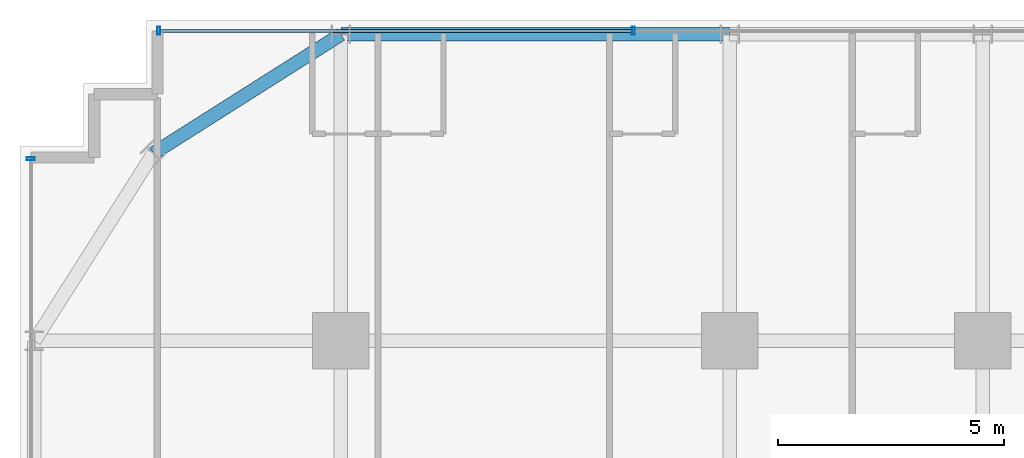
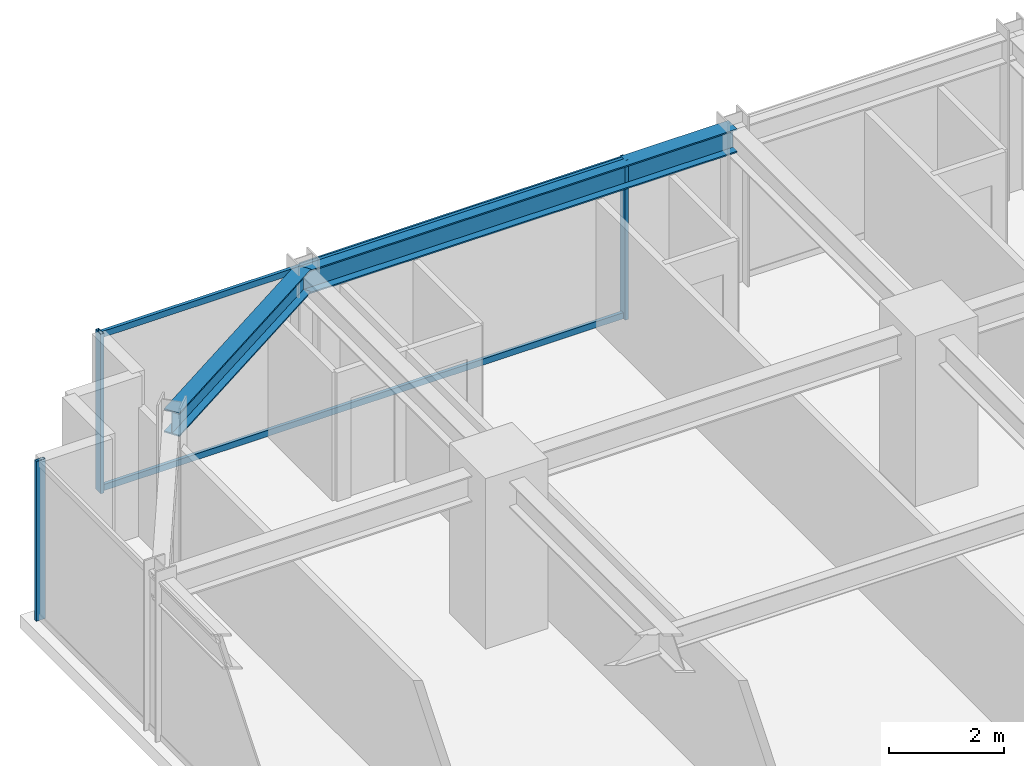
# One storey, part 18 of 32: 5 members, 2 beams, 2 elements without a shape of their own.
"""IFC4 building model written with IfcOpenShell, lengths in metres."""

import ifcopenshell
import ifcopenshell.guid

model = None  # the IFC model being written
_history = None  # IfcOwnerHistory: only IFC2X3 demands one
_inside = {}  # id of a spatial element -> (the spatial element, [elements in it])
_under = {}  # id of a project, library or spatial element -> (it, [spatial elements below it])
_declared = {}  # id of a project -> (the project, [libraries it declares])
_typed = {}  # id of a type object -> (the type object, [elements of that type])
_made_of = {}  # id of a material, layer set ... -> (it, [elements and type objects made of it])


def new_model(schema):
    """Start an empty IFC model of exactly this schema.

    Asked for "IFC4X3", IfcOpenShell would pick the latest addendum, in which some entities
    have other attributes; the version numbers below select the first issue.
    IFC2X3 requires an IfcOwnerHistory on every rooted entity: one is made here for all.
    """
    global model, _history
    if schema == "IFC4X3":
        model = ifcopenshell.file(schema_version=(4, 3, 0, 0))
    else:
        model = ifcopenshell.file(schema=schema)
    _inside.clear()
    _under.clear()
    _declared.clear()
    _typed.clear()
    _made_of.clear()
    _history = None
    if model.schema == "IFC2X3":
        org = make("IfcOrganization", Name="unknown")
        user = make(
            "IfcPersonAndOrganization",
            ThePerson=make("IfcPerson", FamilyName="unknown"),
            TheOrganization=org,
        )
        app = make(
            "IfcApplication",
            ApplicationDeveloper=org,
            Version="unknown",
            ApplicationFullName="unknown",
            ApplicationIdentifier="unknown",
        )
        _history = make(
            "IfcOwnerHistory",
            OwningUser=user,
            OwningApplication=app,
            ChangeAction="ADDED",
            CreationDate=0,
        )
    return model


def make(cls, **values):
    """One entity of the class cls with the attributes given. An attribute that is None is left unset."""
    return model.create_entity(
        cls, **{name: value for name, value in values.items() if value is not None}
    )


def rooted(cls, **values):
    """An entity with a GlobalId (a new one), such as an element, a storey or a relation."""
    return make(cls, GlobalId=ifcopenshell.guid.new(), OwnerHistory=_history, **values)


def si_unit(unit_type, name, prefix=None):
    """IfcSIUnit, for example si_unit("LENGTHUNIT", "METRE", prefix="MILLI")."""
    return make("IfcSIUnit", UnitType=unit_type, Prefix=prefix, Name=name)


def assignment(units):
    """IfcUnitAssignment: the units of a project."""
    return None if units is None else make("IfcUnitAssignment", Units=units)


def point(xyz):
    """IfcCartesianPoint."""
    return None if xyz is None else make("IfcCartesianPoint", Coordinates=xyz)


def direction(xyz):
    """IfcDirection."""
    return None if xyz is None else make("IfcDirection", DirectionRatios=xyz)


def frame(location, z_axis=None, x_axis=None):
    """IfcAxis2Placement3D, a coordinate frame: its origin and axes. An axis left out is left unset."""
    return make(
        "IfcAxis2Placement3D",
        Location=point(location),
        Axis=direction(z_axis),
        RefDirection=direction(x_axis),
    )


def frame_2d(location, x_axis=None):
    """IfcAxis2Placement2D, a coordinate frame in the plane: its origin and x axis."""
    return make(
        "IfcAxis2Placement2D", Location=point(location), RefDirection=direction(x_axis)
    )


def origin():
    """The frame at (0, 0, 0) with its axes left unset."""
    return frame((0.0, 0.0, 0.0))


def origin_2d():
    """The frame at (0, 0) in the plane with its x axis left unset."""
    return frame_2d((0.0, 0.0))


def place(relative_to, where):
    """IfcLocalPlacement: puts the frame where relative to a parent placement (None: the world)."""
    return make(
        "IfcLocalPlacement", PlacementRelTo=relative_to, RelativePlacement=where
    )


def context(
    kind, dimensions, precision=None, world=None, true_north=None, identifier=None
):
    """IfcGeometricRepresentationContext, for example the 3D "Model" context."""
    return make(
        "IfcGeometricRepresentationContext",
        ContextIdentifier=identifier,
        ContextType=kind,
        CoordinateSpaceDimension=dimensions,
        Precision=precision,
        WorldCoordinateSystem=world,
        TrueNorth=true_north,
    )


def subcontext(parent, identifier, kind, view, scale=None):
    """IfcGeometricRepresentationSubContext, for example "Body" below "Model"."""
    return make(
        "IfcGeometricRepresentationSubContext",
        ContextIdentifier=identifier,
        ContextType=kind,
        ParentContext=parent,
        TargetScale=scale,
        TargetView=view,
    )


def project(units=None, contexts=None):
    """IfcProject with its units and contexts."""
    return rooted(
        "IfcProject",
        Name="project",
        RepresentationContexts=contexts,
        UnitsInContext=assignment(units),
    )


def spatial(cls, under=None, at=None, **own):
    """A site, building, storey or space (cls), placed at a placement, below another one or the project."""
    s = rooted(cls, ObjectPlacement=at, **own)
    if under is not None:
        _under.setdefault(under.id(), (under, []))[1].append(s)
    return s


def profile(cls, at=None, kind="AREA", **sizes):
    """A parametric profile (cls). Its sizes go by their IFC names, for example OverallWidth=200.0."""
    return make(cls, ProfileType=kind, Position=at, **sizes)


def hollow_rectangle(**sizes):
    """IfcRectangleHollowProfileDef."""
    return profile("IfcRectangleHollowProfileDef", **sizes)


def i_section(**sizes):
    """IfcIShapeProfileDef."""
    return profile("IfcIShapeProfileDef", **sizes)


def extrude(swept, where, along, depth):
    """IfcExtrudedAreaSolid: the profile swept, set in the frame where, extruded along a direction by depth."""
    return make(
        "IfcExtrudedAreaSolid",
        SweptArea=swept,
        Position=where,
        ExtrudedDirection=direction(along),
        Depth=depth,
    )


def shape(context_of_items, identifier, shape_type, items):
    """IfcShapeRepresentation: the items that make up one representation, for example the "Body"."""
    return make(
        "IfcShapeRepresentation",
        ContextOfItems=context_of_items,
        RepresentationIdentifier=identifier,
        RepresentationType=shape_type,
        Items=items,
    )


def source(mapping_origin, context_of_items, identifier, shape_type, items):
    """IfcRepresentationMap: a shape defined once, which mapped items show again and again."""
    return make(
        "IfcRepresentationMap",
        MappingOrigin=mapping_origin,
        MappedRepresentation=shape(context_of_items, identifier, shape_type, items),
    )


def transform(
    local_origin,
    x_axis=None,
    y_axis=None,
    z_axis=None,
    scale=None,
    scale2=None,
    scale3=None,
    uniform=True,
):
    """IfcCartesianTransformationOperator3D, or its non-uniform kind. x_axis, y_axis, z_axis: its Axis1, 2, 3."""
    if uniform:
        return make(
            "IfcCartesianTransformationOperator3D",
            Axis1=direction(x_axis),
            Axis2=direction(y_axis),
            LocalOrigin=point(local_origin),
            Scale=scale,
            Axis3=direction(z_axis),
        )
    return make(
        "IfcCartesianTransformationOperator3DnonUniform",
        Axis1=direction(x_axis),
        Axis2=direction(y_axis),
        LocalOrigin=point(local_origin),
        Scale=scale,
        Axis3=direction(z_axis),
        Scale2=scale2,
        Scale3=scale3,
    )


def mapped(mapping_source, mapping_target):
    """IfcMappedItem: shows the shape of a source again, moved by a transform."""
    return make(
        "IfcMappedItem", MappingSource=mapping_source, MappingTarget=mapping_target
    )


def material(Name=None, Category=None):
    """IfcMaterial."""
    return make("IfcMaterial", Name=Name, Category=Category)


def material_profile(
    of_material, cross_section, Name=None, Category=None, Priority=None
):
    """IfcMaterialProfile: a cross section and its material."""
    return make(
        "IfcMaterialProfile",
        Name=Name,
        Material=of_material,
        Profile=cross_section,
        Priority=Priority,
        Category=Category,
    )


def profile_set(profiles, Name=None, composite=None):
    """IfcMaterialProfileSet."""
    return make(
        "IfcMaterialProfileSet",
        Name=Name,
        MaterialProfiles=profiles,
        CompositeProfile=composite,
    )


def made_of(thing, what):
    """Note that an element or type object is made of a material, layer set ...; save() writes the relation."""
    if what is not None:
        _made_of.setdefault(what.id(), (what, []))[1].append(thing)
    return thing


def type_object(cls, material=None, **own):
    """A type object (cls), such as IfcWallType, which elements share."""
    return made_of(rooted(cls, **own), material)


def element(
    cls,
    number,
    at=None,
    inside=None,
    cuts=None,
    type_object=None,
    material=None,
    context=None,
    identifier="Body",
    shape_type=None,
    held_by="IfcProductDefinitionShape",
    body=None,
    shapes=None,
    **own,
):
    """One element of the class cls, such as IfcWall. Its Tag is "e" and its number.

    at: its placement. inside: the storey or other place that contains it. cuts: it is an
    opening in that element (IfcRelVoidsElement). A single representation is given by context,
    identifier, shape_type and body (its items); several are given by shapes. held_by: the class
    of the entity that holds the representations. save() writes the other relations.
    """
    e = rooted(cls, Tag="e%d" % number, ObjectPlacement=at, **own)
    if body is not None:
        shapes = [shape(context, identifier, shape_type, body)]
    if shapes is not None:
        e.Representation = make(held_by, Representations=shapes)
    if inside is not None:
        _inside.setdefault(inside.id(), (inside, []))[1].append(e)
    if cuts is not None:
        rooted(
            "IfcRelVoidsElement", RelatingBuildingElement=cuts, RelatedOpeningElement=e
        )
    if type_object is not None:
        _typed.setdefault(type_object.id(), (type_object, []))[1].append(e)
    return made_of(e, material)


def aggregate(whole, parts):
    """IfcRelAggregates: a whole, such as a stair, and the parts it consists of."""
    return rooted("IfcRelAggregates", RelatingObject=whole, RelatedObjects=parts)


def save(model, path):
    """Write the relations noted so far, then the file.

    IfcRelAggregates (storeys below a building ...), IfcRelContainedInSpatialStructure (elements
    in a storey), IfcRelDefinesByType, IfcRelAssociatesMaterial and IfcRelDeclares: one each for
    every whole, place, type object, material and project.
    """
    for whole, parts in _under.values():
        aggregate(whole, parts)
    for where, things in _inside.values():
        rooted(
            "IfcRelContainedInSpatialStructure",
            RelatedElements=things,
            RelatingStructure=where,
        )
    for kind, things in _typed.values():
        rooted("IfcRelDefinesByType", RelatedObjects=things, RelatingType=kind)
    for what, things in _made_of.values():
        rooted("IfcRelAssociatesMaterial", RelatedObjects=things, RelatingMaterial=what)
    for by, libraries in _declared.values():
        rooted("IfcRelDeclares", RelatingContext=by, RelatedDefinitions=libraries)
    model.write(path)


model = new_model("IFC4")

# Units and contexts
model_context = context("Model", 3, precision=1e-05, world=origin(), true_north=direction((0.0, 1.0)))
body_context = subcontext(model_context, "Body", "Model", "MODEL_VIEW")
ifc_project = project(units=[si_unit("LENGTHUNIT", "METRE"), si_unit("AREAUNIT", "SQUARE_METRE"), si_unit("VOLUMEUNIT", "CUBIC_METRE"), si_unit("PLANEANGLEUNIT", "RADIAN"), si_unit("MASSUNIT", "GRAM", prefix="KILO")], contexts=[model_context])

# Site, building, storey
site_placement = place(None, origin())
site = spatial("IfcSite", under=ifc_project, at=site_placement, CompositionType="ELEMENT")
building_placement = place(site_placement, origin())
building = spatial("IfcBuilding", under=site, at=building_placement, Name="Nahalor Promenade Grand Hotel", CompositionType="ELEMENT")
storey_placement = place(building_placement, frame((0.0, 0.0, 102.89990234375)))
storey = spatial("IfcBuildingStorey", under=building, at=storey_placement, Name="L25", CompositionType="ELEMENT", Elevation=102.89990234375)

# Beams
ifc_material_1 = material(Name="Steel S355JR", Category="steel")
ifc_material_profile_1 = material_profile(ifc_material_1, i_section(OverallWidth=0.3, OverallDepth=0.5, WebThickness=0.0145, FlangeThickness=0.028, at=origin_2d()), Name="HEB 500")
ifc_profile_set_1 = profile_set([ifc_material_profile_1], Name="Steel S355JR")
beam_type = type_object("IfcBeamType", Name="Beam-Spandrel-HEB500", PredefinedType="SPANDREL", material=ifc_profile_set_1)
shared_shape_1 = source(origin(), body_context, "Body", "SweptSolid", [
    extrude(i_section(OverallWidth=0.3, OverallDepth=0.5, WebThickness=0.0145, FlangeThickness=0.028, at=origin_2d()), origin(), (0.0, 0.0, 1.0), 8.60009765625),
])
beam_1_placement = place(storey_placement, frame((-17.0, 23.780029296875, 3.130126953125), z_axis=(1.0, 0.0, 0.0), x_axis=(0.0, 1.0, 0.0)))
element("IfcBeam", 1, at=beam_1_placement, inside=storey, type_object=beam_type, Name="BM-L25-SP-N-0", PredefinedType="SPANDREL", context=body_context, shape_type="MappedRepresentation", body=[
    mapped(shared_shape_1, transform((0.0, 0.0, 0.0), scale=1.0)),
])
shared_shape_2 = source(origin(), body_context, "Body", "SweptSolid", [
    extrude(i_section(OverallWidth=0.3, OverallDepth=0.5, WebThickness=0.0145, FlangeThickness=0.028, at=origin_2d()), origin(), (0.0, 0.0, 1.0), 4.9130859375),
])
beam_2_placement = place(storey_placement, frame((-17.0, 23.780029296875, 3.130126953125), z_axis=(-0.844648325505, -0.535321591403, 0.0), x_axis=(0.535321591403, -0.844648325505, 0.0)))
element("IfcBeam", 2, at=beam_2_placement, inside=storey, type_object=beam_type, Name="BM-L25-SPC-NW-1", PredefinedType="SPANDREL", context=body_context, shape_type="MappedRepresentation", body=[
    mapped(shared_shape_2, transform((0.0, 0.0, 0.0), scale=1.0)),
])

# Curtain wall, members
ifc_material_2 = material(Name="Anodised Bronze Aluminium EN AW-6063 T6", Category="aluminium")
curtain_wall_type = type_object("IfcCurtainWallType", Name="CW2 Typical Hotel Flush Bronze Unitised Curtain Wall", PredefinedType="USERDEFINED", material=ifc_material_2)
curtain_wall_1_placement = place(storey_placement, origin())
curtain_wall_1 = element("IfcCurtainWall", 3, at=curtain_wall_1_placement, inside=storey, type_object=curtain_wall_type, Name="L25 Curtain Wall CW-L25-N-1", ObjectType="UNITISED_CURTAIN_WALL", PredefinedType="USERDEFINED")
ifc_material_profile_2 = material_profile(ifc_material_2, hollow_rectangle(XDim=0.065, YDim=0.13, WallThickness=0.004, at=origin_2d()), Name="CWT 65x130x4")
ifc_profile_set_2 = profile_set([ifc_material_profile_2], Name="Anodised Bronze Aluminium EN AW-6063 T6")
member_type_1 = type_object("IfcMemberType", Name="CWT2 Typical Bronze Transom 65x130", PredefinedType="USERDEFINED", material=ifc_profile_set_2)
shared_shape_3 = source(origin(), body_context, "Body", "SweptSolid", [
    extrude(hollow_rectangle(XDim=0.065, YDim=0.13, WallThickness=0.004, at=origin_2d()), origin(), (0.0, 0.0, 1.0), 10.4326171875),
])
member_1_placement = place(storey_placement, frame((-20.9951171875, 23.860107421875, 0.065185546875), z_axis=(1.0, 0.0, 0.0), x_axis=(0.0, 1.0, 0.0)))
member_1 = element("IfcMember", 4, at=member_1_placement, type_object=member_type_1, Name="CW-L25-N-1 Transom 0-0", ObjectType="TRANSOM", PredefinedType="USERDEFINED", context=body_context, shape_type="MappedRepresentation", body=[
    mapped(shared_shape_3, transform((0.0, 0.0, 0.0), scale=1.0)),
])
member_2_placement = place(storey_placement, frame((-20.9951171875, 23.860107421875, 3.315185546875), z_axis=(1.0, 0.0, 0.0), x_axis=(0.0, 1.0, 0.0)))
member_2 = element("IfcMember", 5, at=member_2_placement, type_object=member_type_1, Name="CW-L25-N-1 Transom 0-1", ObjectType="TRANSOM", PredefinedType="USERDEFINED", context=body_context, shape_type="MappedRepresentation", body=[
    mapped(shared_shape_3, transform((0.0, 0.0, 0.0), scale=1.0)),
])
ifc_material_profile_3 = material_profile(ifc_material_2, hollow_rectangle(XDim=0.065, YDim=0.18, WallThickness=0.004, at=origin_2d()), Name="CWM 65x180x4")
ifc_profile_set_3 = profile_set([ifc_material_profile_3], Name="Anodised Bronze Aluminium EN AW-6063 T6")
member_type_2 = type_object("IfcMemberType", Name="CWM2 Typical Bronze Mullion 65x180", PredefinedType="MULLION", material=ifc_profile_set_3)
shared_shape_4 = source(origin(), body_context, "Body", "SweptSolid", [
    extrude(hollow_rectangle(XDim=0.065, YDim=0.18, WallThickness=0.004, at=origin_2d()), origin(), (0.0, 0.0, 1.0), 3.380126953125),
])
member_3_placement = place(storey_placement, frame((-21.027587890625, 23.860107421875, 0.0), z_axis=(0.0, 0.0, 1.0), x_axis=(1.0, 0.0, 0.0)))
member_3 = element("IfcMember", 6, at=member_3_placement, type_object=member_type_2, Name="CW-L25-N-1 Mullion 0", PredefinedType="MULLION", context=body_context, shape_type="MappedRepresentation", body=[
    mapped(shared_shape_4, transform((0.0, 0.0, 0.0), scale=1.0)),
])
member_4_placement = place(storey_placement, frame((-10.530029296875, 23.860107421875, 0.0), z_axis=(0.0, 0.0, 1.0), x_axis=(1.0, 0.0, 0.0)))
member_4 = element("IfcMember", 7, at=member_4_placement, type_object=member_type_2, Name="CW-L25-N-1 Mullion 1", PredefinedType="MULLION", context=body_context, shape_type="MappedRepresentation", body=[
    mapped(shared_shape_4, transform((0.0, 0.0, 0.0), scale=1.0)),
])
aggregate(curtain_wall_1, [member_3, member_4, member_1, member_2])

# Curtain wall, member
curtain_wall_2_placement = place(storey_placement, origin())
curtain_wall_2 = element("IfcCurtainWall", 8, at=curtain_wall_2_placement, inside=storey, type_object=curtain_wall_type, Name="L25 Curtain Wall CW-L25-W-1", ObjectType="UNITISED_CURTAIN_WALL", PredefinedType="USERDEFINED")
member_5_placement = place(storey_placement, frame((-23.860107421875, 21.027587890625, 0.0), z_axis=(0.0, 0.0, 1.0), x_axis=(0.0, 1.0, 0.0)))
member_5 = element("IfcMember", 9, at=member_5_placement, type_object=member_type_2, Name="CW-L25-W-1 Mullion 4", PredefinedType="MULLION", context=body_context, shape_type="MappedRepresentation", body=[
    mapped(shared_shape_4, transform((0.0, 0.0, 0.0), scale=1.0)),
])
aggregate(curtain_wall_2, [member_5])

save(model, "model.ifc")
